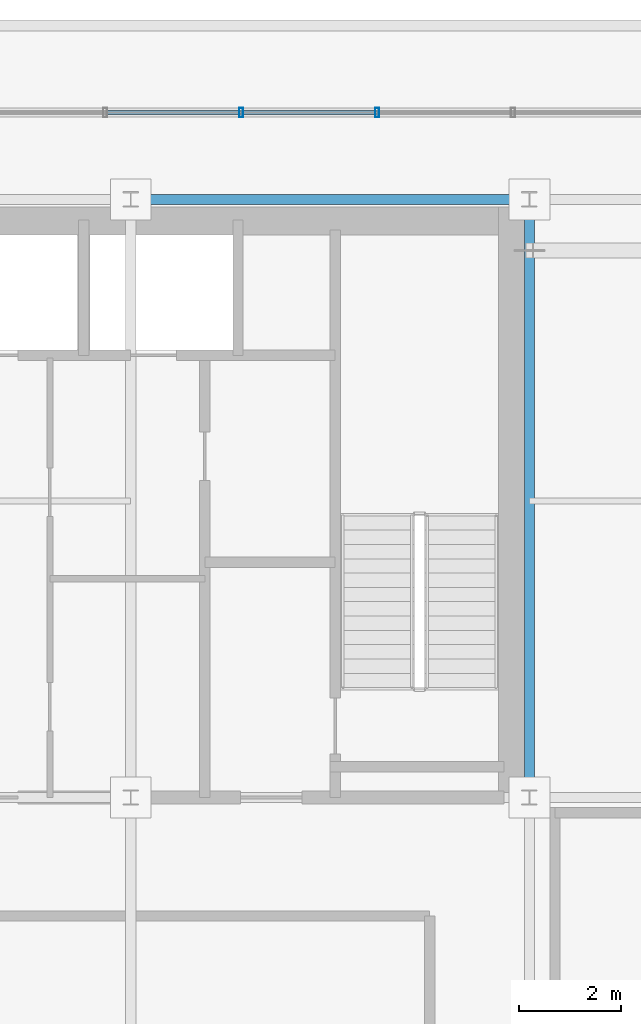
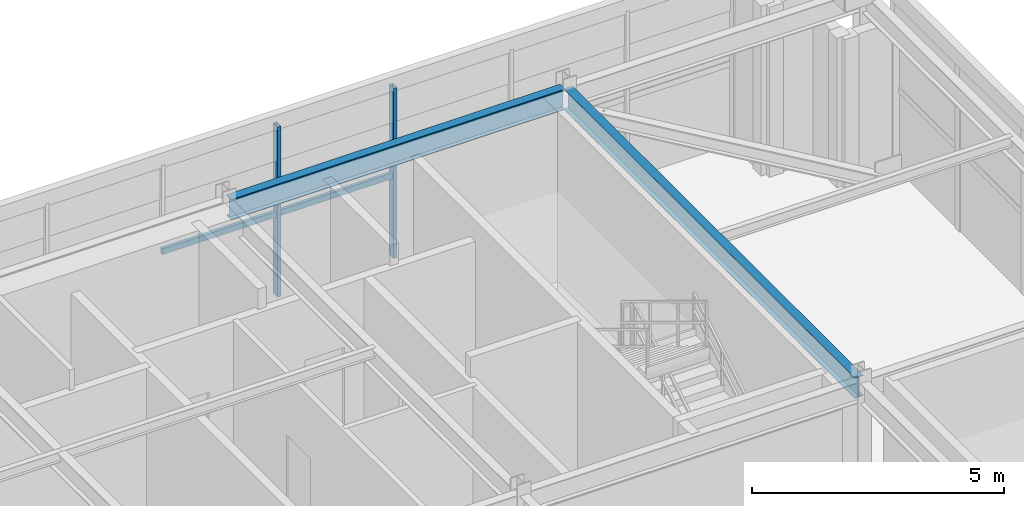
# One storey, part 23 of 38: 4 members, 2 beams, 1 element without a shape of its own.
"""IFC4 building model written with IfcOpenShell, lengths in metres."""

from ifc_helpers import new_model, si_unit, direction, frame, origin, origin_2d, place, context, subcontext, project, spatial, hollow_rectangle, i_section, extrude, source, transform, mapped, material, material_profile, profile_set, type_object, element, aggregate, save


model = new_model("IFC4")

# Units and contexts
model_context = context("Model", 3, precision=1e-05, world=origin(), true_north=direction((0.0, 1.0)))
body_context = subcontext(model_context, "Body", "Model", "MODEL_VIEW")
ifc_project = project(units=[si_unit("LENGTHUNIT", "METRE"), si_unit("AREAUNIT", "SQUARE_METRE"), si_unit("VOLUMEUNIT", "CUBIC_METRE"), si_unit("PLANEANGLEUNIT", "RADIAN"), si_unit("MASSUNIT", "GRAM", prefix="KILO")], contexts=[model_context])

# Site, building, storey
site_placement = place(None, origin())
site = spatial("IfcSite", under=ifc_project, at=site_placement, CompositionType="ELEMENT")
building_placement = place(site_placement, origin())
building = spatial("IfcBuilding", under=site, at=building_placement, Name="Trelvane Seafront Commons", CompositionType="ELEMENT")
storey_placement = place(building_placement, frame((0.0, 0.0, 299.10009765625)))
storey = spatial("IfcBuildingStorey", under=building, at=storey_placement, Name="L78", CompositionType="ELEMENT", Elevation=299.10009765625)

# Beams
ifc_material_1 = material(Name="Steel SM355 (S355)", Category="steel")
ifc_material_profile_1 = material_profile(ifc_material_1, i_section(OverallWidth=0.199951171875, OverallDepth=0.5, WebThickness=0.010009765625, FlangeThickness=0.01611328125, at=origin_2d()), Name="H-500x200x10x16")
ifc_profile_set_1 = profile_set([ifc_material_profile_1], Name="Steel SM355 (S355)")
beam_type_1 = type_object("IfcBeamType", Name="STR-CROWN-FRAME-RING", PredefinedType="SPANDREL", material=ifc_profile_set_1)
shared_shape_1 = source(origin(), body_context, "Body", "SweptSolid", [
    extrude(i_section(OverallWidth=0.199951171875, OverallDepth=0.5, WebThickness=0.010009765625, FlangeThickness=0.01611328125, at=origin_2d()), origin(), (0.0, 0.0, 1.0), 7.650146484375),
])
beam_1_placement = place(storey_placement, frame((51.074951171875, 45.10009765625, 3.869873046875), z_axis=(1.0, 0.0, 0.0), x_axis=(0.0, 1.0, 0.0)))
element("IfcBeam", 1, at=beam_1_placement, inside=storey, type_object=beam_type_1, Name="L78 CROWN FRAME Ring Beam G-20", PredefinedType="SPANDREL", context=body_context, shape_type="MappedRepresentation", body=[
    mapped(shared_shape_1, transform((0.0, 0.0, 0.0), x_axis=(1.0, 0.0, 0.0), y_axis=(0.0, 1.0, 0.0), z_axis=(0.0, 0.0, 1.0), scale=1.0)),
])
ifc_material_profile_2 = material_profile(ifc_material_1, i_section(OverallWidth=0.199951171875, OverallDepth=0.5, WebThickness=0.010009765625, FlangeThickness=0.01611328125, at=origin_2d()), Name="H-500x200x10x16")
ifc_profile_set_2 = profile_set([ifc_material_profile_2], Name="Steel SM355 (S355)")
beam_type_2 = type_object("IfcBeamType", Name="STR-BM-H500", PredefinedType="BEAM", material=ifc_profile_set_2)
shared_shape_2 = source(origin(), body_context, "Body", "SweptSolid", [
    extrude(i_section(OverallWidth=0.199951171875, OverallDepth=0.5, WebThickness=0.010009765625, FlangeThickness=0.01611328125, at=origin_2d()), origin(), (0.0, 0.0, 1.0), 11.5498046875),
])
beam_2_placement = place(storey_placement, frame((58.800048828125, 33.47509765625, 3.869873046875), z_axis=(0.0, 1.0, 0.0), x_axis=(-1.0, 0.0, 0.0)))
element("IfcBeam", 2, at=beam_2_placement, inside=storey, type_object=beam_type_2, Name="L78 Primary Girder G-35", PredefinedType="BEAM", context=body_context, shape_type="MappedRepresentation", body=[
    mapped(shared_shape_2, transform((0.0, 0.0, 0.0), x_axis=(1.0, 0.0, 0.0), y_axis=(0.0, 1.0, 0.0), z_axis=(0.0, 0.0, 1.0), scale=1.0)),
])

# Curtain wall, members
ifc_material_2 = material(Name="Anodised pale-silver aluminium", Category="aluminium")
curtain_wall_type = type_object("IfcCurtainWallType", Name="ARCH-CW6-CROWN", PredefinedType="NOTDEFINED", material=ifc_material_2)
curtain_wall_placement = place(storey_placement, origin())
curtain_wall = element("IfcCurtainWall", 3, at=curtain_wall_placement, inside=storey, type_object=curtain_wall_type, Name="CW-L78-0125", PredefinedType="NOTDEFINED")
ifc_material_profile_3 = material_profile(ifc_material_2, hollow_rectangle(XDim=0.080078125, YDim=0.179931640625, WallThickness=0.00439453125, at=origin_2d()), Name="MULL-80x180x4.5")
ifc_profile_set_3 = profile_set([ifc_material_profile_3], Name="Anodised pale-silver aluminium")
member_type_1 = type_object("IfcMemberType", Name="ARCH-CW-MULL-180", PredefinedType="MULLION", material=ifc_profile_set_3)
shared_shape_3 = source(origin(), body_context, "Body", "SweptSolid", [
    extrude(hollow_rectangle(XDim=0.080078125, YDim=0.179931640625, WallThickness=0.00439453125, at=origin_2d()), origin(), (0.0, 0.0, 1.0), 4.119873046875),
])
member_1_placement = place(storey_placement, frame((53.159912109375, 46.800048828125, 0.0), z_axis=(0.0, 0.0, 1.0), x_axis=(1.0, 0.0, 0.0)))
member_1 = element("IfcMember", 4, at=member_1_placement, type_object=member_type_1, Name="CW-L78-0125-M16", PredefinedType="MULLION", context=body_context, shape_type="MappedRepresentation", body=[
    mapped(shared_shape_3, transform((0.0, 0.0, 0.0), x_axis=(1.0, 0.0, 0.0), y_axis=(0.0, 1.0, 0.0), z_axis=(0.0, 0.0, 1.0), scale=1.0)),
])
member_2_placement = place(storey_placement, frame((55.820068359375, 46.800048828125, 0.0), z_axis=(0.0, 0.0, 1.0), x_axis=(1.0, 0.0, 0.0)))
member_2 = element("IfcMember", 5, at=member_2_placement, type_object=member_type_1, Name="CW-L78-0125-M17", PredefinedType="MULLION", context=body_context, shape_type="MappedRepresentation", body=[
    mapped(shared_shape_3, transform((0.0, 0.0, 0.0), x_axis=(1.0, 0.0, 0.0), y_axis=(0.0, 1.0, 0.0), z_axis=(0.0, 0.0, 1.0), scale=1.0)),
])
ifc_material_profile_4 = material_profile(ifc_material_2, hollow_rectangle(XDim=0.074951171875, YDim=0.139892578125, WallThickness=0.00390625, at=origin_2d()), Name="TRAN-75x140x4")
ifc_profile_set_4 = profile_set([ifc_material_profile_4], Name="Anodised pale-silver aluminium")
member_type_2 = type_object("IfcMemberType", Name="ARCH-CW-TRAN-140", PredefinedType="USERDEFINED", material=ifc_profile_set_4)
shared_shape_4 = source(origin(), body_context, "Body", "SweptSolid", [
    extrude(hollow_rectangle(XDim=0.074951171875, YDim=0.139892578125, WallThickness=0.00390625, at=origin_2d()), origin(), (0.0, 0.0, 1.0), 2.635986328125),
])
member_3_placement = place(storey_placement, frame((50.511962890625, 46.800048828125, 1.977783203125), z_axis=(1.0, 0.0, 0.0), x_axis=(0.0, 1.0, 0.0)))
member_3 = element("IfcMember", 6, at=member_3_placement, type_object=member_type_2, Name="CW-L78-0125-T15", ObjectType="TRANSOM", PredefinedType="USERDEFINED", context=body_context, shape_type="MappedRepresentation", body=[
    mapped(shared_shape_4, transform((0.0, 0.0, 0.0), x_axis=(1.0, 0.0, 0.0), y_axis=(0.0, 1.0, 0.0), z_axis=(0.0, 0.0, 1.0), scale=1.0)),
])
member_4_placement = place(storey_placement, frame((53.172119140625, 46.800048828125, 1.977783203125), z_axis=(1.0, 0.0, 0.0), x_axis=(0.0, 1.0, 0.0)))
member_4 = element("IfcMember", 7, at=member_4_placement, type_object=member_type_2, Name="CW-L78-0125-T16", ObjectType="TRANSOM", PredefinedType="USERDEFINED", context=body_context, shape_type="MappedRepresentation", body=[
    mapped(shared_shape_4, transform((0.0, 0.0, 0.0), x_axis=(1.0, 0.0, 0.0), y_axis=(0.0, 1.0, 0.0), z_axis=(0.0, 0.0, 1.0), scale=1.0)),
])
aggregate(curtain_wall, [member_1, member_2, member_3, member_4])

save(model, "model.ifc")
